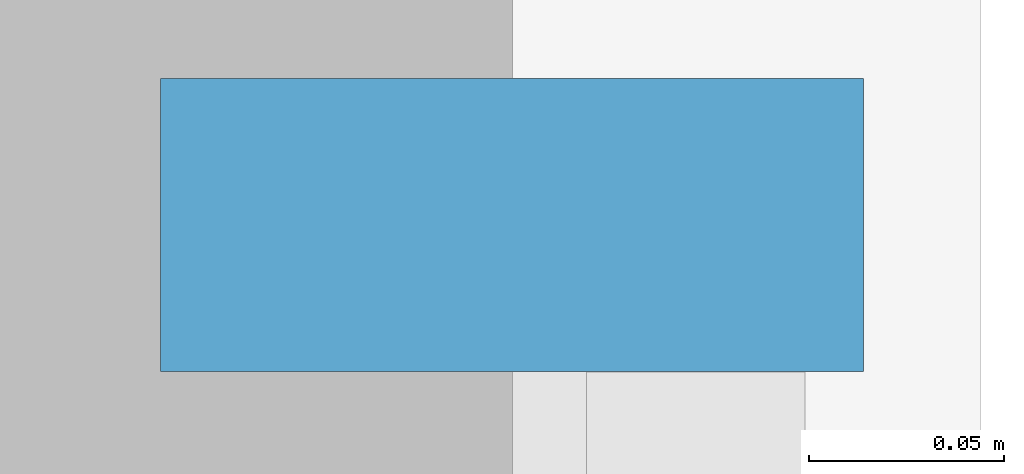
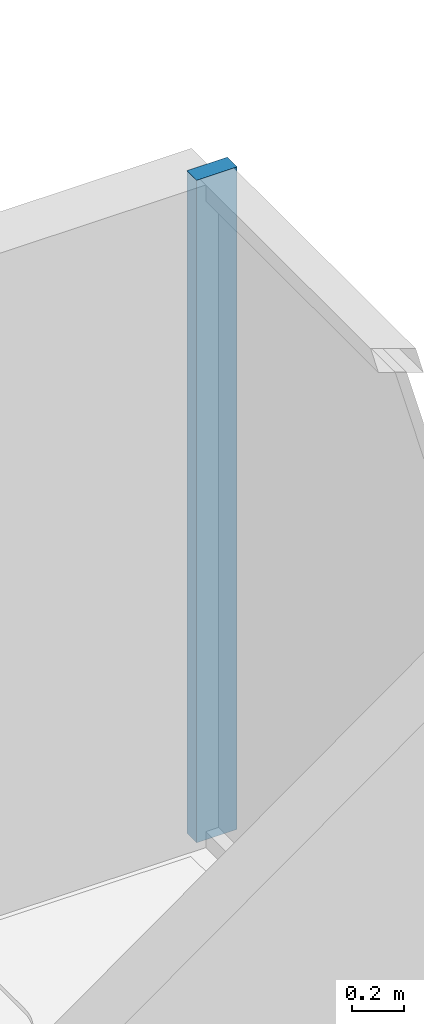
# One storey, part 6 of 13: 1 member, 1 element without a shape of its own.
"""IFC4 building model written with IfcOpenShell, lengths in metres."""

from ifc_helpers import new_model, si_unit, direction, frame, origin, origin_2d, place, context, subcontext, project, spatial, rectangle, extrude, source, transform, mapped, material, layer, layer_set, material_profile, profile_set, type_object, element, aggregate, save


model = new_model("IFC4")

# Units and contexts
model_context = context("Model", 3, precision=1e-05, world=origin(), true_north=direction((0.0, 1.0)))
body_context = subcontext(model_context, "Body", "Model", "MODEL_VIEW")
ifc_project = project(units=[si_unit("LENGTHUNIT", "METRE"), si_unit("AREAUNIT", "SQUARE_METRE"), si_unit("VOLUMEUNIT", "CUBIC_METRE"), si_unit("PLANEANGLEUNIT", "RADIAN"), si_unit("MASSUNIT", "GRAM", prefix="KILO")], contexts=[model_context])

# Site, building, storey
site_placement = place(None, origin())
site = spatial("IfcSite", under=ifc_project, at=site_placement, CompositionType="ELEMENT")
building_placement = place(site_placement, origin())
building = spatial("IfcBuilding", under=site, at=building_placement, Name="Qianlan Lanfeng Residences", CompositionType="ELEMENT")
storey_placement = place(building_placement, frame((0.0, 0.0, 162.300048828125)))
storey = spatial("IfcBuildingStorey", under=building, at=storey_placement, Name="L44", CompositionType="ELEMENT", Elevation=162.300048828125)

# Curtain wall, member
ifc_material = material(Name="Anodised Bronze Aluminium 6063-T6", Category="aluminium")
ifc_layer = layer(ifc_material, 0.219970703125)
ifc_layer_set = layer_set([ifc_layer], Name="Anodised Bronze Aluminium 6063-T6")
curtain_wall_type = type_object("IfcCurtainWallType", Name="CW-04", PredefinedType="NOTDEFINED", material=ifc_layer_set)
curtain_wall_placement = place(storey_placement, origin())
curtain_wall = element("IfcCurtainWall", 1, at=curtain_wall_placement, inside=storey, type_object=curtain_wall_type, Name="L44 Unitised Curtain Wall CWR-L44-05 (CW-04)", PredefinedType="NOTDEFINED")
ifc_material_profile = material_profile(ifc_material, rectangle(XDim=0.074951171875, YDim=0.179931640625, at=origin_2d()), Name="ALU MULLION 75x180")
ifc_profile_set = profile_set([ifc_material_profile], Name="Anodised Bronze Aluminium 6063-T6")
member_type = type_object("IfcMemberType", Name="CWM-180", PredefinedType="MULLION", material=ifc_profile_set)
shared_shape = source(origin(), body_context, "Body", "SweptSolid", [
    extrude(rectangle(XDim=0.074951171875, YDim=0.179931640625, at=origin_2d()), origin(), (0.0, 0.0, 1.0), 3.099853515625),
])
member_placement = place(storey_placement, frame((48.679931640625, 35.892578125, 0.0), z_axis=(0.0, 0.0, 1.0), x_axis=(0.0, 1.0, 0.0)))
member = element("IfcMember", 2, at=member_placement, type_object=member_type, Name="CWR-L44-05 Mullion 3", PredefinedType="MULLION", context=body_context, shape_type="MappedRepresentation", body=[
    mapped(shared_shape, transform((0.0, 0.0, 0.0), scale=1.0)),
])
aggregate(curtain_wall, [member])

save(model, "model.ifc")
